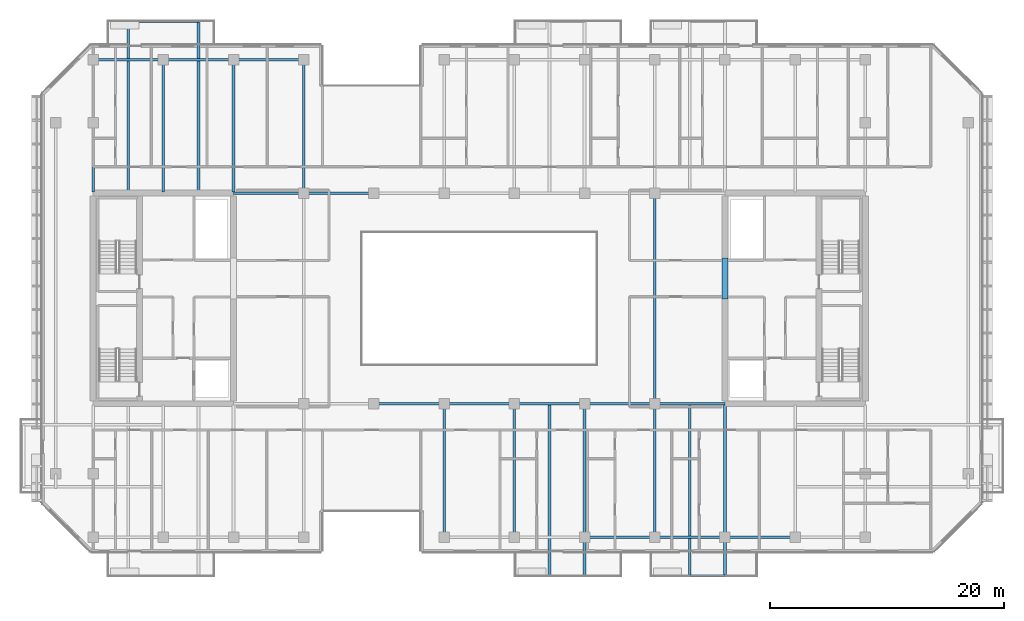
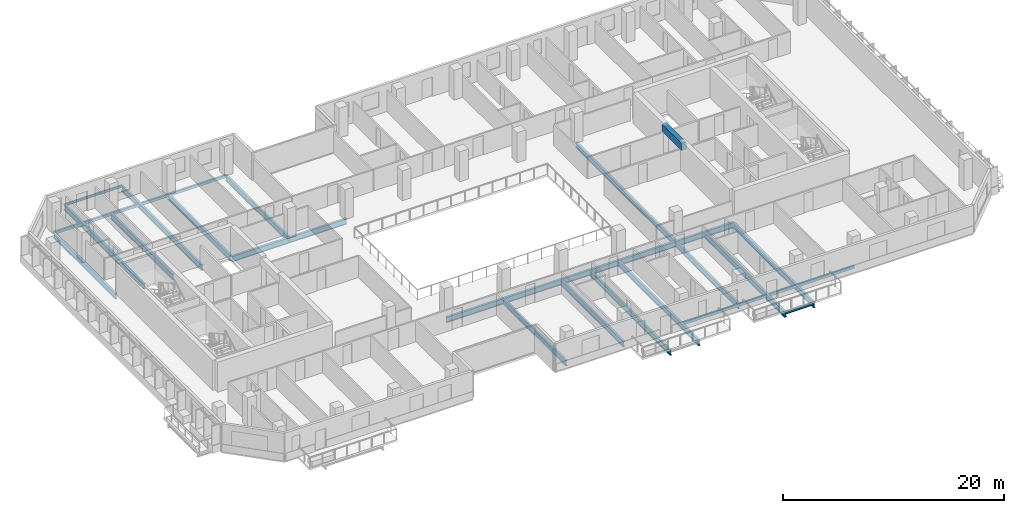
# One storey, part 5 of 19: 30 beams.
"""IFC4 building model written with IfcOpenShell, lengths in metres."""

from ifc_helpers import new_model, si_unit, direction, frame, origin, origin_2d, place, context, subcontext, project, spatial, rectangle, hollow_rectangle, i_section, extrude, material, material_profile, profile_set, type_object, element, save


model = new_model("IFC4")

# Units and contexts
model_context = context("Model", 3, precision=1e-05, world=origin(), true_north=direction((0.0, 1.0)))
body_context = subcontext(model_context, "Body", "Model", "MODEL_VIEW")
ifc_project = project(units=[si_unit("LENGTHUNIT", "METRE"), si_unit("AREAUNIT", "SQUARE_METRE"), si_unit("VOLUMEUNIT", "CUBIC_METRE"), si_unit("PLANEANGLEUNIT", "RADIAN"), si_unit("MASSUNIT", "GRAM", prefix="KILO")], contexts=[model_context])

# Site, building, storey
site_placement = place(None, origin())
site = spatial("IfcSite", under=ifc_project, at=site_placement, CompositionType="ELEMENT")
building_placement = place(site_placement, origin())
building = spatial("IfcBuilding", under=site, at=building_placement, Name="Tanjung Sevakor Pilgrim Tower", CompositionType="ELEMENT")
storey_placement = place(building_placement, frame((0.0, 0.0, 135.300048828125)))
storey = spatial("IfcBuildingStorey", under=building, at=storey_placement, Name="L37", CompositionType="ELEMENT", Elevation=135.300048828125)

# Beams
ifc_material_1 = material(Name="Steel S355J2", Category="steel")
ifc_material_profile_1 = material_profile(ifc_material_1, i_section(OverallWidth=0.230224609375, OverallDepth=0.6171875, WebThickness=0.01318359375, FlangeThickness=0.022216796875, FilletRadius=0.0126953125, at=origin_2d()))
ifc_profile_set_1 = profile_set([ifc_material_profile_1], Name="Steel S355J2")
beam_type_1 = type_object("IfcBeamType", Name="BM-B-G3-UB_610x229x140", PredefinedType="BEAM", material=ifc_profile_set_1)
for number, where, z_axis, x_axis, name in (
    (1, (48.0, 24.60009765625, -0.528564453125), (1.0, 0.0, 0.0), (0.0, 1.0, 0.0), "L37 Primary Floor Girder MAIN Y246-03"),
    (2, (54.0, 24.60009765625, -0.528564453125), (1.0, 0.0, 0.0), (0.0, 1.0, 0.0), "L37 Primary Floor Girder MAIN Y246-04"),
    (3, (60.0, 24.60009765625, -0.528564453125), (1.0, 0.0, 0.0), (0.0, 1.0, 0.0), "L37 Primary Floor Girder MAIN Y246-05"),
    (4, (66.0, 24.60009765625, -0.528564453125), (1.0, 0.0, 0.0), (0.0, 1.0, 0.0), "L37 Primary Floor Girder MAIN Y246-06"),
    (5, (72.0, 24.60009765625, -0.528564453125), (1.0, 0.0, 0.0), (0.0, 1.0, 0.0), "L37 Primary Floor Girder MAIN Y246-07"),
    (6, (36.0, 42.60009765625, -0.528564453125), (1.0, 0.0, 0.0), (0.0, 1.0, 0.0), "L37 Primary Floor Girder MAIN Y426-01"),
    (7, (42.0, 42.60009765625, -0.528564453125), (1.0, 0.0, 0.0), (0.0, 1.0, 0.0), "L37 Primary Floor Girder MAIN Y426-02"),
):
    element("IfcBeam", number, at=place(storey_placement, frame(where, z_axis=z_axis, x_axis=x_axis)), inside=storey, type_object=beam_type_1, Name=name, PredefinedType="BEAM", context=body_context, shape_type="SweptSolid", body=[
        extrude(i_section(OverallWidth=0.230224609375, OverallDepth=0.6171875, WebThickness=0.01318359375, FlangeThickness=0.022216796875, FilletRadius=0.0126953125, at=origin_2d()), origin(), (0.0, 0.0, 1.0), 6.0),
    ])
ifc_material_2 = material(Name="Steel S355J2", Category="steel")
ifc_material_profile_2 = material_profile(ifc_material_2, i_section(OverallWidth=0.22900390625, OverallDepth=0.6123046875, WebThickness=0.011962890625, FlangeThickness=0.01953125, FilletRadius=0.0126953125, at=origin_2d()))
ifc_profile_set_2 = profile_set([ifc_material_profile_2], Name="Steel S355J2")
beam_type_2 = type_object("IfcBeamType", Name="BM-B-G4-UB_610x229x125", PredefinedType="BEAM", material=ifc_profile_set_2)
beam_1_placement = place(storey_placement, frame((24.0, 42.715087890625, -0.526123046875), z_axis=(0.0, 1.0, 0.0), x_axis=(-1.0, 0.0, 0.0)))
element("IfcBeam", 8, at=beam_1_placement, inside=storey, type_object=beam_type_2, Name="L37 MAIN Girder 002", PredefinedType="BEAM", context=body_context, shape_type="SweptSolid", body=[
    extrude(i_section(OverallWidth=0.22900390625, OverallDepth=0.6123046875, WebThickness=0.011962890625, FlangeThickness=0.01953125, FilletRadius=0.0126953125, at=origin_2d()), origin(), (0.0, 0.0, 1.0), 11.284912109375),
])
beam_2_placement = place(storey_placement, frame((27.0, 42.715087890625, -0.526123046875), z_axis=(0.0, 1.0, 0.0), x_axis=(-1.0, 0.0, 0.0)))
element("IfcBeam", 9, at=beam_2_placement, inside=storey, type_object=beam_type_2, Name="L37 Balcony Cantilever Beam MAIN-N1-1", PredefinedType="BEAM", context=body_context, shape_type="SweptSolid", body=[
    extrude(i_section(OverallWidth=0.22900390625, OverallDepth=0.6123046875, WebThickness=0.011962890625, FlangeThickness=0.01953125, FilletRadius=0.0126953125, at=origin_2d()), origin(), (0.0, 0.0, 1.0), 14.56494140625),
])
beam_3_placement = place(storey_placement, frame((30.0, 42.715087890625, -0.526123046875), z_axis=(0.0, 1.0, 0.0), x_axis=(-1.0, 0.0, 0.0)))
element("IfcBeam", 10, at=beam_3_placement, inside=storey, type_object=beam_type_2, Name="L37 MAIN Girder 004", PredefinedType="BEAM", context=body_context, shape_type="SweptSolid", body=[
    extrude(i_section(OverallWidth=0.22900390625, OverallDepth=0.6123046875, WebThickness=0.011962890625, FlangeThickness=0.01953125, FilletRadius=0.0126953125, at=origin_2d()), origin(), (0.0, 0.0, 1.0), 11.284912109375),
])
beam_4_placement = place(storey_placement, frame((33.0, 42.715087890625, -0.526123046875), z_axis=(0.0, 1.0, 0.0), x_axis=(-1.0, 0.0, 0.0)))
element("IfcBeam", 11, at=beam_4_placement, inside=storey, type_object=beam_type_2, Name="L37 Balcony Cantilever Beam MAIN-N1-2", PredefinedType="BEAM", context=body_context, shape_type="SweptSolid", body=[
    extrude(i_section(OverallWidth=0.22900390625, OverallDepth=0.6123046875, WebThickness=0.011962890625, FlangeThickness=0.01953125, FilletRadius=0.0126953125, at=origin_2d()), origin(), (0.0, 0.0, 1.0), 14.56494140625),
])
beam_5_placement = place(storey_placement, frame((36.0, 42.715087890625, -0.526123046875), z_axis=(0.0, 1.0, 0.0), x_axis=(-1.0, 0.0, 0.0)))
element("IfcBeam", 12, at=beam_5_placement, inside=storey, type_object=beam_type_2, Name="L37 MAIN Girder 006", PredefinedType="BEAM", context=body_context, shape_type="SweptSolid", body=[
    extrude(i_section(OverallWidth=0.22900390625, OverallDepth=0.6123046875, WebThickness=0.011962890625, FlangeThickness=0.01953125, FilletRadius=0.0126953125, at=origin_2d()), origin(), (0.0, 0.0, 1.0), 11.284912109375),
])
beam_6_placement = place(storey_placement, frame((42.0, 42.60009765625, -0.526123046875), z_axis=(0.0, 1.0, 0.0), x_axis=(-1.0, 0.0, 0.0)))
element("IfcBeam", 13, at=beam_6_placement, inside=storey, type_object=beam_type_2, Name="L37 MAIN Girder 009", PredefinedType="BEAM", context=body_context, shape_type="SweptSolid", body=[
    extrude(i_section(OverallWidth=0.22900390625, OverallDepth=0.6123046875, WebThickness=0.011962890625, FlangeThickness=0.01953125, FilletRadius=0.0126953125, at=origin_2d()), origin(), (0.0, 0.0, 1.0), 11.39990234375),
])
for number, where, z_axis, x_axis, name in (
    (14, (54.0, 13.199951171875, -0.526123046875), (0.0, 1.0, 0.0), (-1.0, 0.0, 0.0), "L37 MAIN Girder 010"),
    (15, (60.0, 13.199951171875, -0.526123046875), (0.0, 1.0, 0.0), (-1.0, 0.0, 0.0), "L37 MAIN Girder 012"),
):
    element("IfcBeam", number, at=place(storey_placement, frame(where, z_axis=z_axis, x_axis=x_axis)), inside=storey, type_object=beam_type_2, Name=name, PredefinedType="BEAM", context=body_context, shape_type="SweptSolid", body=[
        extrude(i_section(OverallWidth=0.22900390625, OverallDepth=0.6123046875, WebThickness=0.011962890625, FlangeThickness=0.01953125, FilletRadius=0.0126953125, at=origin_2d()), origin(), (0.0, 0.0, 1.0), 11.400146484375),
    ])
beam_7_placement = place(storey_placement, frame((63.0, 24.48486328125, -0.526123046875), z_axis=(0.0, -1.0, 0.0), x_axis=(1.0, 0.0, 0.0)))
element("IfcBeam", 16, at=beam_7_placement, inside=storey, type_object=beam_type_2, Name="L37 Balcony Cantilever Beam MAIN-S2-1", PredefinedType="BEAM", context=body_context, shape_type="SweptSolid", body=[
    extrude(i_section(OverallWidth=0.22900390625, OverallDepth=0.6123046875, WebThickness=0.011962890625, FlangeThickness=0.01953125, FilletRadius=0.0126953125, at=origin_2d()), origin(), (0.0, 0.0, 1.0), 14.56494140625),
])
beam_8_placement = place(storey_placement, frame((66.0, 24.60009765625, -0.526123046875), z_axis=(0.0, -1.0, 0.0), x_axis=(1.0, 0.0, 0.0)))
element("IfcBeam", 17, at=beam_8_placement, inside=storey, type_object=beam_type_2, Name="L37 Balcony Cantilever Beam MAIN-S2-2", PredefinedType="BEAM", context=body_context, shape_type="SweptSolid", body=[
    extrude(i_section(OverallWidth=0.22900390625, OverallDepth=0.6123046875, WebThickness=0.011962890625, FlangeThickness=0.01953125, FilletRadius=0.0126953125, at=origin_2d()), origin(), (0.0, 0.0, 1.0), 14.68017578125),
])
beam_9_placement = place(storey_placement, frame((72.0, 13.199951171875, -0.526123046875), z_axis=(0.0, 1.0, 0.0), x_axis=(-1.0, 0.0, 0.0)))
element("IfcBeam", 18, at=beam_9_placement, inside=storey, type_object=beam_type_2, Name="L37 MAIN Girder 014", PredefinedType="BEAM", context=body_context, shape_type="SweptSolid", body=[
    extrude(i_section(OverallWidth=0.22900390625, OverallDepth=0.6123046875, WebThickness=0.011962890625, FlangeThickness=0.01953125, FilletRadius=0.0126953125, at=origin_2d()), origin(), (0.0, 0.0, 1.0), 11.400146484375),
])
beam_10_placement = place(storey_placement, frame((72.0, 24.60009765625, -0.526123046875), z_axis=(0.0, 1.0, 0.0), x_axis=(-1.0, 0.0, 0.0)))
element("IfcBeam", 19, at=beam_10_placement, inside=storey, type_object=beam_type_2, Name="L37 MAIN Girder 015", PredefinedType="BEAM", context=body_context, shape_type="SweptSolid", body=[
    extrude(i_section(OverallWidth=0.22900390625, OverallDepth=0.6123046875, WebThickness=0.011962890625, FlangeThickness=0.01953125, FilletRadius=0.0126953125, at=origin_2d()), origin(), (0.0, 0.0, 1.0), 18.0),
])
for number, where, z_axis, x_axis, name in (
    (20, (75.0, 24.48486328125, -0.526123046875), (0.0, -1.0, 0.0), (1.0, 0.0, 0.0), "L37 Balcony Cantilever Beam MAIN-S3-1"),
    (21, (78.0, 24.48486328125, -0.526123046875), (0.0, -1.0, 0.0), (1.0, 0.0, 0.0), "L37 Balcony Cantilever Beam MAIN-S3-2"),
):
    element("IfcBeam", number, at=place(storey_placement, frame(where, z_axis=z_axis, x_axis=x_axis)), inside=storey, type_object=beam_type_2, Name=name, PredefinedType="BEAM", context=body_context, shape_type="SweptSolid", body=[
        extrude(i_section(OverallWidth=0.22900390625, OverallDepth=0.6123046875, WebThickness=0.011962890625, FlangeThickness=0.01953125, FilletRadius=0.0126953125, at=origin_2d()), origin(), (0.0, 0.0, 1.0), 14.56494140625),
    ])
ifc_material_3 = material(Name="Steel S355J2", Category="steel")
ifc_material_profile_3 = material_profile(ifc_material_3, i_section(OverallWidth=0.146484375, OverallDepth=0.256103515625, WebThickness=0.00634765625, FlangeThickness=0.010986328125, FilletRadius=0.007568359375, at=origin_2d()))
ifc_profile_set_3 = profile_set([ifc_material_profile_3], Name="Steel S355J2")
beam_type_3 = type_object("IfcBeamType", Name="BM-B-J6-UB_254x146x37", PredefinedType="JOIST", material=ifc_profile_set_3)
beam_11_placement = place(storey_placement, frame((27.0, 57.280029296875, -0.328125), z_axis=(1.0, 0.0, 0.0), x_axis=(0.0, 1.0, 0.0)))
element("IfcBeam", 22, at=beam_11_placement, inside=storey, type_object=beam_type_3, Name="L37 Balcony Rim Tie MAIN-N1", PredefinedType="JOIST", context=body_context, shape_type="SweptSolid", body=[
    extrude(i_section(OverallWidth=0.146484375, OverallDepth=0.256103515625, WebThickness=0.00634765625, FlangeThickness=0.010986328125, FilletRadius=0.007568359375, at=origin_2d()), origin(), (0.0, 0.0, 1.0), 6.0),
])
beam_12_placement = place(storey_placement, frame((75.0, 9.919921875, -0.328125), z_axis=(1.0, 0.0, 0.0), x_axis=(0.0, 1.0, 0.0)))
element("IfcBeam", 23, at=beam_12_placement, inside=storey, type_object=beam_type_3, Name="L37 Balcony Rim Tie MAIN-S3", PredefinedType="JOIST", context=body_context, shape_type="SweptSolid", body=[
    extrude(i_section(OverallWidth=0.146484375, OverallDepth=0.256103515625, WebThickness=0.00634765625, FlangeThickness=0.010986328125, FilletRadius=0.007568359375, at=origin_2d()), origin(), (0.0, 0.0, 1.0), 3.0),
])
ifc_material_4 = material(Name="Concrete C60/75", Category="concrete")
ifc_material_profile_4 = material_profile(ifc_material_4, rectangle(XDim=0.5, YDim=0.800048828125, at=origin_2d()))
ifc_profile_set_4 = profile_set([ifc_material_profile_4], Name="Concrete C60/75")
beam_type_4 = type_object("IfcBeamType", Name="BM-B-LN2-RC-BM_500x800", PredefinedType="LINTEL", material=ifc_profile_set_4)
beam_13_placement = place(storey_placement, frame((78.0, 33.550048828125, 2.679931640625), z_axis=(0.0, 1.0, 0.0), x_axis=(-1.0, 0.0, 0.0)))
element("IfcBeam", 24, at=beam_13_placement, inside=storey, type_object=beam_type_4, Name="L37 E Core Coupling Lintel", PredefinedType="LINTEL", context=body_context, shape_type="SweptSolid", body=[
    extrude(rectangle(XDim=0.5, YDim=0.800048828125, at=origin_2d()), origin(), (0.0, 0.0, 1.0), 3.5),
])
ifc_material_5 = material(Name="Steel S355J2", Category="steel")
ifc_material_profile_5 = material_profile(ifc_material_5, hollow_rectangle(XDim=0.199951171875, YDim=0.300048828125, WallThickness=0.012451171875, at=origin_2d()))
ifc_profile_set_5 = profile_set([ifc_material_profile_5], Name="Steel S355J2")
beam_type_5 = type_object("IfcBeamType", Name="BM-B-SP3-RHS_300x200x12.5", PredefinedType="SPANDREL", material=ifc_profile_set_5)
for number, where, z_axis, x_axis, name in (
    (25, (24.0, 54.0, -0.3701171875), (1.0, 0.0, 0.0), (0.0, 1.0, 0.0), "L37 Spandrel MAIN N-02"),
    (26, (30.0, 54.0, -0.3701171875), (1.0, 0.0, 0.0), (0.0, 1.0, 0.0), "L37 Spandrel MAIN N-04"),
    (27, (36.0, 54.0, -0.3701171875), (1.0, 0.0, 0.0), (0.0, 1.0, 0.0), "L37 Spandrel MAIN N-06"),
    (28, (66.0, 13.199951171875, -0.3701171875), (1.0, 0.0, 0.0), (0.0, 1.0, 0.0), "L37 Spandrel MAIN S-11"),
    (29, (72.0, 13.199951171875, -0.3701171875), (1.0, 0.0, 0.0), (0.0, 1.0, 0.0), "L37 Spandrel MAIN S-13"),
    (30, (78.0, 13.199951171875, -0.3701171875), (1.0, 0.0, 0.0), (0.0, 1.0, 0.0), "L37 Spandrel MAIN S-15"),
):
    element("IfcBeam", number, at=place(storey_placement, frame(where, z_axis=z_axis, x_axis=x_axis)), inside=storey, type_object=beam_type_5, Name=name, PredefinedType="SPANDREL", context=body_context, shape_type="SweptSolid", body=[
        extrude(hollow_rectangle(XDim=0.199951171875, YDim=0.300048828125, WallThickness=0.012451171875, at=origin_2d()), origin(), (0.0, 0.0, 1.0), 6.0),
    ])

save(model, "model.ifc")
